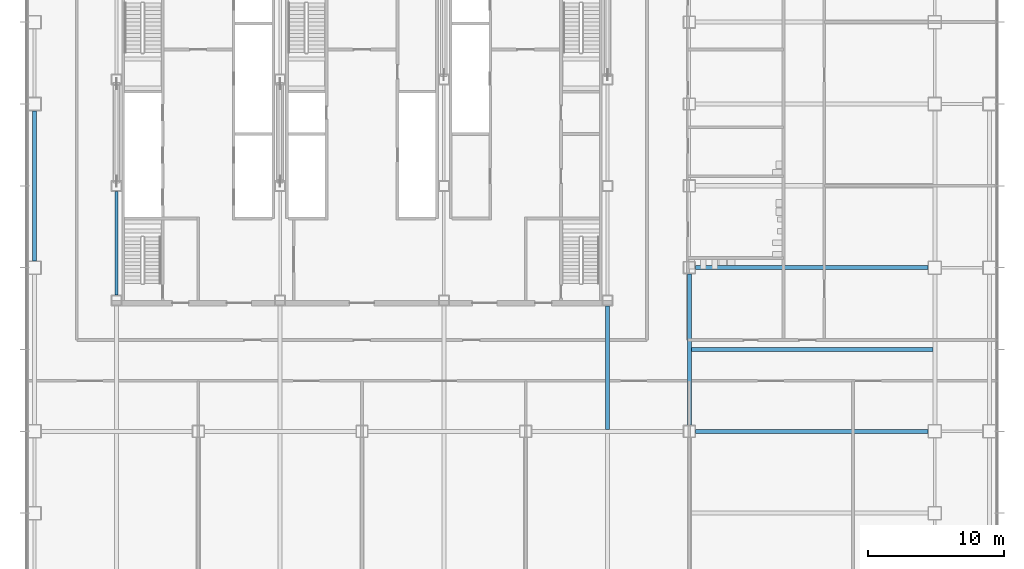
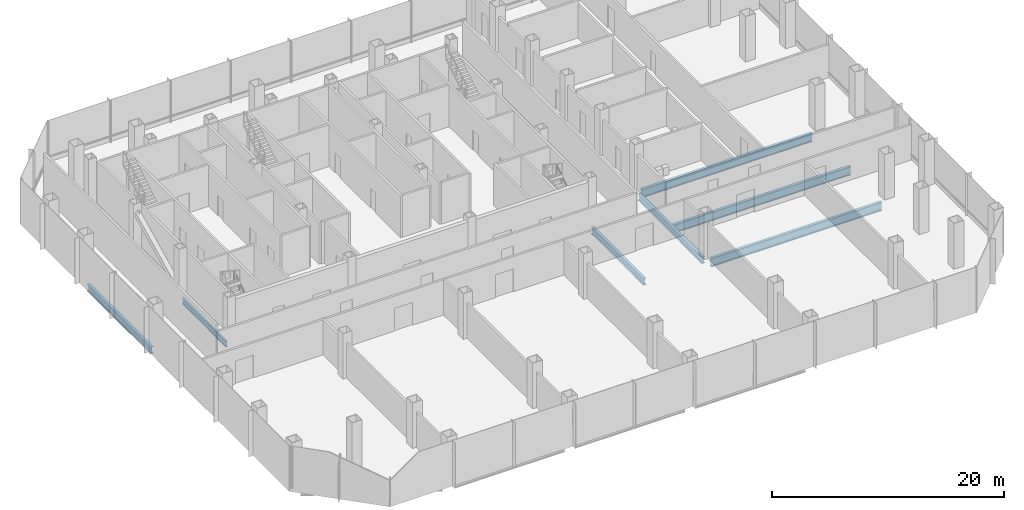
# One storey, part 10 of 33: 7 beams.
"""IFC4 building model written with IfcOpenShell, lengths in metres."""

from ifc_helpers import new_model, si_unit, direction, frame, origin, origin_2d, place, context, subcontext, project, spatial, i_section, extrude, material, material_profile, profile_set, type_object, element, save


model = new_model("IFC4")

# Units and contexts
model_context = context("Model", 3, precision=1e-05, world=origin(), true_north=direction((0.0, 1.0)))
body_context = subcontext(model_context, "Body", "Model", "MODEL_VIEW")
ifc_project = project(units=[si_unit("LENGTHUNIT", "METRE"), si_unit("AREAUNIT", "SQUARE_METRE"), si_unit("VOLUMEUNIT", "CUBIC_METRE"), si_unit("PLANEANGLEUNIT", "RADIAN"), si_unit("MASSUNIT", "GRAM", prefix="KILO")], contexts=[model_context])

# Site, building, storey
site_placement = place(None, origin())
site = spatial("IfcSite", under=ifc_project, at=site_placement, CompositionType="ELEMENT")
building_placement = place(site_placement, origin())
building = spatial("IfcBuilding", under=site, at=building_placement, Name="Sorahane Residences", CompositionType="ELEMENT")
storey_placement = place(building_placement, frame((0.0, 0.0, 30.0)))
storey = spatial("IfcBuildingStorey", under=building, at=storey_placement, Name="L04", CompositionType="ELEMENT", Elevation=30.0)

# Beams
ifc_material_1 = material(Name="Steel Q355B", Category="steel")
ifc_material_profile_1 = material_profile(ifc_material_1, i_section(OverallWidth=0.199951171875, OverallDepth=0.60009765625, WebThickness=0.010986328125, FlangeThickness=0.01708984375, FilletRadius=0.02392578125, at=origin_2d()), Name="HN 600x200x11x17")
ifc_profile_set_1 = profile_set([ifc_material_profile_1], Name="Steel Q355B")
beam_type_1 = type_object("IfcBeamType", Name="Steel floor beam HN 600x200x11x17 Q355B", PredefinedType="BEAM", material=ifc_profile_set_1)
beam_1_placement = place(storey_placement, frame((6.0, 22.0, -0.699951171875), z_axis=(0.0, 1.0, 0.0), x_axis=(-1.0, 0.0, 0.0)))
element("IfcBeam", 1, at=beam_1_placement, inside=storey, type_object=beam_type_1, Name="Beam L04 031", PredefinedType="BEAM", context=body_context, shape_type="SweptSolid", body=[
    extrude(i_section(OverallWidth=0.199951171875, OverallDepth=0.60009765625, WebThickness=0.010986328125, FlangeThickness=0.01708984375, FilletRadius=0.02392578125, at=origin_2d()), origin(), (0.0, 0.0, 1.0), 7.60009765625),
])
ifc_material_2 = material(Name="Steel Q355B", Category="steel")
ifc_material_profile_2 = material_profile(ifc_material_2, i_section(OverallWidth=0.300048828125, OverallDepth=0.699951171875, WebThickness=0.012939453125, FlangeThickness=0.02392578125, FilletRadius=0.028076171875, at=origin_2d()), Name="HN 700x300x13x24")
ifc_profile_set_2 = profile_set([ifc_material_profile_2], Name="Steel Q355B")
beam_type_2 = type_object("IfcBeamType", Name="Steel floor beam HN 700x300x13x24 Q355B", PredefinedType="BEAM", material=ifc_profile_set_2)
beam_2_placement = place(storey_placement, frame((0.0, 24.5, -0.75), z_axis=(0.0, 1.0, 0.0), x_axis=(-1.0, 0.0, 0.0)))
element("IfcBeam", 2, at=beam_2_placement, inside=storey, type_object=beam_type_2, Name="Beam L04 027", PredefinedType="BEAM", context=body_context, shape_type="SweptSolid", body=[
    extrude(i_section(OverallWidth=0.300048828125, OverallDepth=0.699951171875, WebThickness=0.012939453125, FlangeThickness=0.02392578125, FilletRadius=0.028076171875, at=origin_2d()), origin(), (0.0, 0.0, 1.0), 11.0),
])
beam_3_placement = place(storey_placement, frame((42.0, 12.14990234375, -0.75), z_axis=(0.0, 1.0, 0.0), x_axis=(-1.0, 0.0, 0.0)))
element("IfcBeam", 3, at=beam_3_placement, inside=storey, type_object=beam_type_2, Name="Beam L04 057", PredefinedType="BEAM", context=body_context, shape_type="SweptSolid", body=[
    extrude(i_section(OverallWidth=0.300048828125, OverallDepth=0.699951171875, WebThickness=0.012939453125, FlangeThickness=0.02392578125, FilletRadius=0.028076171875, at=origin_2d()), origin(), (0.0, 0.0, 1.0), 9.050048828125),
])
beam_4_placement = place(storey_placement, frame((48.0, 12.449951171875, -0.75), z_axis=(0.0, 1.0, 0.0), x_axis=(-1.0, 0.0, 0.0)))
element("IfcBeam", 4, at=beam_4_placement, inside=storey, type_object=beam_type_2, Name="Beam L04 064", PredefinedType="BEAM", context=body_context, shape_type="SweptSolid", body=[
    extrude(i_section(OverallWidth=0.300048828125, OverallDepth=0.699951171875, WebThickness=0.012939453125, FlangeThickness=0.02392578125, FilletRadius=0.028076171875, at=origin_2d()), origin(), (0.0, 0.0, 1.0), 11.10009765625),
])
ifc_material_3 = material(Name="Steel Q355B", Category="steel")
ifc_material_profile_3 = material_profile(ifc_material_3, i_section(OverallWidth=0.300048828125, OverallDepth=0.89990234375, WebThickness=0.01611328125, FlangeThickness=0.028076171875, FilletRadius=0.028076171875, at=origin_2d()), Name="HN 900x300x16x28")
ifc_profile_set_3 = profile_set([ifc_material_profile_3], Name="Steel Q355B")
beam_type_3 = type_object("IfcBeamType", Name="Steel floor beam HN 900x300x16x28 Q355B", PredefinedType="BEAM", material=ifc_profile_set_3)
for number, where, z_axis, x_axis, name in (
    (5, (48.449951171875, 12.0, -0.85009765625), (1.0, 0.0, 0.0), (0.0, 1.0, 0.0), "Beam L04 012"),
    (6, (48.449951171875, 24.0, -0.85009765625), (1.0, 0.0, 0.0), (0.0, 1.0, 0.0), "Beam L04 014"),
):
    element("IfcBeam", number, at=place(storey_placement, frame(where, z_axis=z_axis, x_axis=x_axis)), inside=storey, type_object=beam_type_3, Name=name, PredefinedType="BEAM", context=body_context, shape_type="SweptSolid", body=[
        extrude(i_section(OverallWidth=0.300048828125, OverallDepth=0.89990234375, WebThickness=0.01611328125, FlangeThickness=0.028076171875, FilletRadius=0.028076171875, at=origin_2d()), origin(), (0.0, 0.0, 1.0), 17.050048828125),
    ])
beam_5_placement = place(storey_placement, frame((48.150146484375, 18.0, -0.85009765625), z_axis=(1.0, 0.0, 0.0), x_axis=(0.0, 1.0, 0.0)))
element("IfcBeam", 7, at=beam_5_placement, inside=storey, type_object=beam_type_3, Name="Beam L04 084", PredefinedType="BEAM", context=body_context, shape_type="SweptSolid", body=[
    extrude(i_section(OverallWidth=0.300048828125, OverallDepth=0.89990234375, WebThickness=0.01611328125, FlangeThickness=0.028076171875, FilletRadius=0.028076171875, at=origin_2d()), origin(), (0.0, 0.0, 1.0), 17.69970703125),
])

save(model, "model.ifc")
